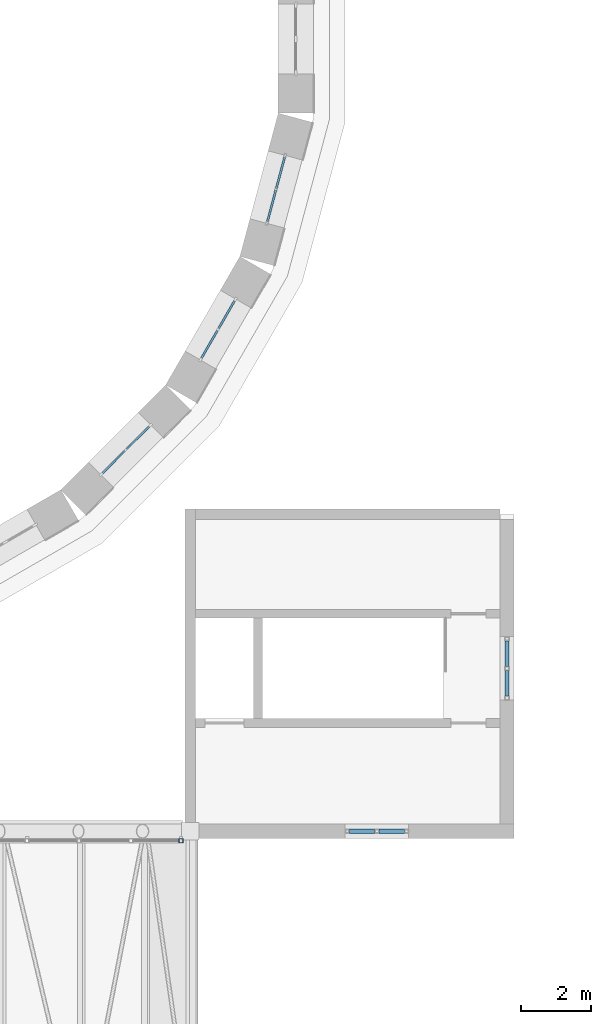
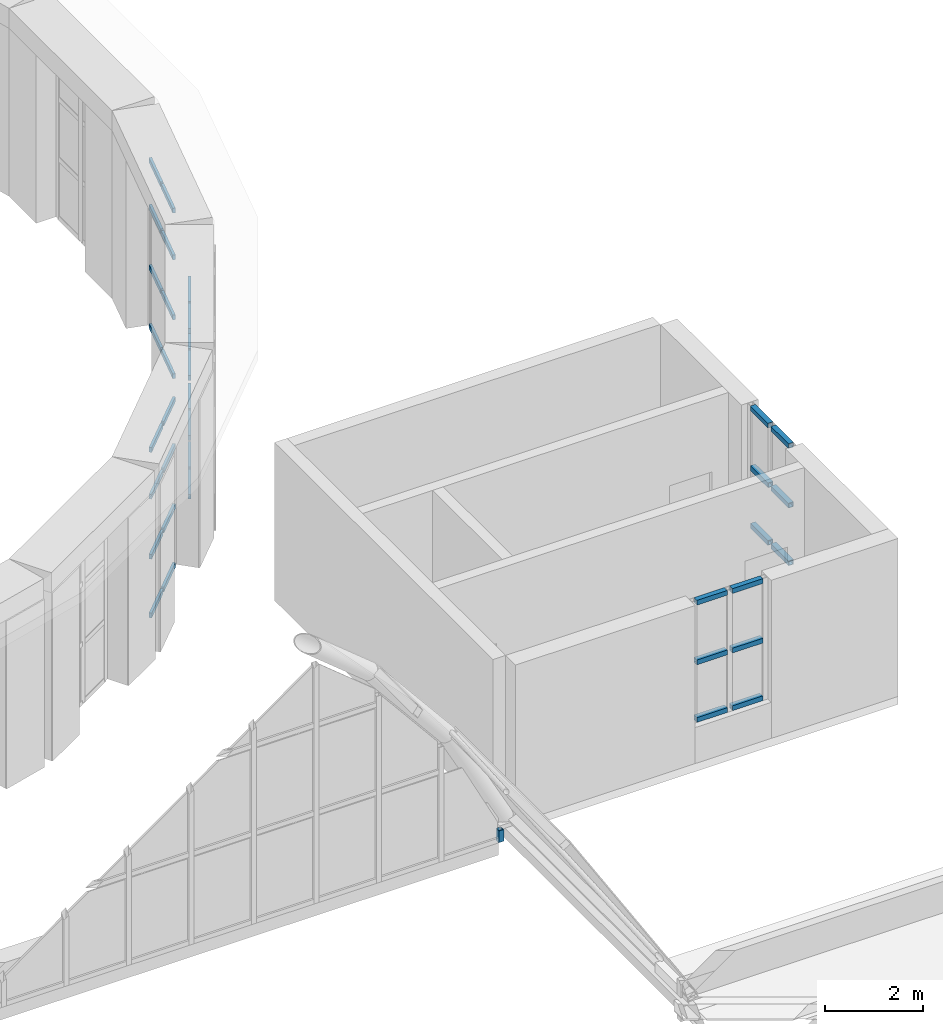
# One storey, part 71 of 121: 37 members, 6 elements without a shape of their own.
"""IFC4 building model written with IfcOpenShell, lengths in metres."""

from ifc_helpers import new_model, si_unit, direction, frame, origin, origin_2d, place, context, subcontext, project, spatial, rectangle, hollow_rectangle, extrude, material, layer, layer_set, material_profile, profile_set, type_object, element, aggregate, save


model = new_model("IFC4")

# Units and contexts
model_context = context("Model", 3, precision=1e-05, world=origin(), true_north=direction((0.0, 1.0)))
body_context = subcontext(model_context, "Body", "Model", "MODEL_VIEW")
ifc_project = project(units=[si_unit("LENGTHUNIT", "METRE"), si_unit("AREAUNIT", "SQUARE_METRE"), si_unit("VOLUMEUNIT", "CUBIC_METRE"), si_unit("PLANEANGLEUNIT", "RADIAN"), si_unit("MASSUNIT", "GRAM", prefix="KILO")], contexts=[model_context])

# Site, building, storey
site_placement = place(None, origin())
site = spatial("IfcSite", under=ifc_project, at=site_placement, CompositionType="ELEMENT")
building_placement = place(site_placement, origin())
building = spatial("IfcBuilding", under=site, at=building_placement, Name="Golden Quay Civic Hall", CompositionType="ELEMENT")
storey_placement = place(building_placement, frame((0.0, 0.0, 18.60009765625)))
storey = spatial("IfcBuildingStorey", under=building, at=storey_placement, Name="L04", CompositionType="ELEMENT", Elevation=18.60009765625)

# Curtain wall, members
ifc_material_1 = material(Name="Glass, laminated double glazed", Category="glass")
ifc_layer = layer(ifc_material_1, 0.199951171875)
ifc_layer_set = layer_set([ifc_layer], Name="Glazed drum clerestory curtain wall")
curtain_wall_type_1 = type_object("IfcCurtainWallType", Name="Glazed drum clerestory curtain wall", PredefinedType="NOTDEFINED", material=ifc_layer_set)
curtain_wall_1_placement = place(storey_placement, origin())
curtain_wall_1 = element("IfcCurtainWall", 1, at=curtain_wall_1_placement, inside=storey, type_object=curtain_wall_type_1, Name="Clerestory curtain wall 21", PredefinedType="NOTDEFINED")
ifc_material_2 = material(Name="Aluminium, anodised", Category="aluminium")
ifc_material_profile_1 = material_profile(ifc_material_2, rectangle(XDim=0.06005859375, YDim=0.1201171875, at=origin_2d()), Name="Aluminium 60 x 120")
ifc_profile_set_1 = profile_set([ifc_material_profile_1], Name="Aluminium, anodised")
member_type_1 = type_object("IfcMemberType", Name="Aluminium transom 60 x 120", PredefinedType="USERDEFINED", material=ifc_profile_set_1)
member_1_placement = place(storey_placement, frame((96.502685546875, 73.16796875, -0.170166015625), z_axis=(0.706972618059, 0.707240918863, 0.0), x_axis=(-0.707240918863, 0.706972618059, 0.0)))
member_1 = element("IfcMember", 2, at=member_1_placement, type_object=member_type_1, Name="CW5 transom 1.1", ObjectType="TRANSOM", PredefinedType="USERDEFINED", context=body_context, shape_type="SweptSolid", body=[
    extrude(rectangle(XDim=0.06005859375, YDim=0.1201171875, at=origin_2d()), origin(), (0.0, 0.0, 1.0), 0.909912109375),
])
member_2_placement = place(storey_placement, frame((96.502685546875, 73.16796875, 1.2998046875), z_axis=(0.706972618059, 0.707240918863, 0.0), x_axis=(-0.707240918863, 0.706972618059, 0.0)))
member_2 = element("IfcMember", 3, at=member_2_placement, type_object=member_type_1, Name="CW5 transom 1.2", ObjectType="TRANSOM", PredefinedType="USERDEFINED", context=body_context, shape_type="SweptSolid", body=[
    extrude(rectangle(XDim=0.06005859375, YDim=0.1201171875, at=origin_2d()), origin(), (0.0, 0.0, 1.0), 0.909912109375),
])
member_3_placement = place(storey_placement, frame((96.502685546875, 73.16796875, 2.7998046875), z_axis=(0.706972618059, 0.707240918863, 0.0), x_axis=(-0.707240918863, 0.706972618059, 0.0)))
member_3 = element("IfcMember", 4, at=member_3_placement, type_object=member_type_1, Name="CW5 transom 1.3", ObjectType="TRANSOM", PredefinedType="USERDEFINED", context=body_context, shape_type="SweptSolid", body=[
    extrude(rectangle(XDim=0.06005859375, YDim=0.1201171875, at=origin_2d()), origin(), (0.0, 0.0, 1.0), 0.909912109375),
])
member_4_placement = place(storey_placement, frame((96.502685546875, 73.16796875, 3.969970703125), z_axis=(0.706972618059, 0.707240918863, 0.0), x_axis=(-0.707240918863, 0.706972618059, 0.0)))
member_4 = element("IfcMember", 5, at=member_4_placement, type_object=member_type_1, Name="CW5 transom 1.4", ObjectType="TRANSOM", PredefinedType="USERDEFINED", context=body_context, shape_type="SweptSolid", body=[
    extrude(rectangle(XDim=0.06005859375, YDim=0.1201171875, at=origin_2d()), origin(), (0.0, 0.0, 1.0), 0.909912109375),
])
member_5_placement = place(storey_placement, frame((97.1884765625, 73.85400390625, -0.170166015625), z_axis=(0.707240918863, 0.706972618059, 0.0), x_axis=(-0.706972618059, 0.707240918863, 0.0)))
member_5 = element("IfcMember", 6, at=member_5_placement, type_object=member_type_1, Name="CW5 transom 2.1", ObjectType="TRANSOM", PredefinedType="USERDEFINED", context=body_context, shape_type="SweptSolid", body=[
    extrude(rectangle(XDim=0.06005859375, YDim=0.1201171875, at=origin_2d()), origin(), (0.0, 0.0, 1.0), 0.909912109375),
])
member_6_placement = place(storey_placement, frame((97.1884765625, 73.85400390625, 1.2998046875), z_axis=(0.707240918863, 0.706972618059, 0.0), x_axis=(-0.706972618059, 0.707240918863, 0.0)))
member_6 = element("IfcMember", 7, at=member_6_placement, type_object=member_type_1, Name="CW5 transom 2.2", ObjectType="TRANSOM", PredefinedType="USERDEFINED", context=body_context, shape_type="SweptSolid", body=[
    extrude(rectangle(XDim=0.06005859375, YDim=0.1201171875, at=origin_2d()), origin(), (0.0, 0.0, 1.0), 0.909912109375),
])
member_7_placement = place(storey_placement, frame((97.1884765625, 73.85400390625, 2.7998046875), z_axis=(0.707240918863, 0.706972618059, 0.0), x_axis=(-0.706972618059, 0.707240918863, 0.0)))
member_7 = element("IfcMember", 8, at=member_7_placement, type_object=member_type_1, Name="CW5 transom 2.3", ObjectType="TRANSOM", PredefinedType="USERDEFINED", context=body_context, shape_type="SweptSolid", body=[
    extrude(rectangle(XDim=0.06005859375, YDim=0.1201171875, at=origin_2d()), origin(), (0.0, 0.0, 1.0), 0.909912109375),
])
member_8_placement = place(storey_placement, frame((97.1884765625, 73.85400390625, 3.969970703125), z_axis=(0.707240918863, 0.706972618059, 0.0), x_axis=(-0.706972618059, 0.707240918863, 0.0)))
member_8 = element("IfcMember", 9, at=member_8_placement, type_object=member_type_1, Name="CW5 transom 2.4", ObjectType="TRANSOM", PredefinedType="USERDEFINED", context=body_context, shape_type="SweptSolid", body=[
    extrude(rectangle(XDim=0.06005859375, YDim=0.1201171875, at=origin_2d()), origin(), (0.0, 0.0, 1.0), 0.909912109375),
])
aggregate(curtain_wall_1, [member_1, member_2, member_3, member_4, member_5, member_6, member_7, member_8])

curtain_wall_2_placement = place(storey_placement, origin())
curtain_wall_2 = element("IfcCurtainWall", 10, at=curtain_wall_2_placement, inside=storey, type_object=curtain_wall_type_1, Name="Clerestory curtain wall 22", PredefinedType="NOTDEFINED")
member_9_placement = place(storey_placement, frame((99.3193359375, 76.43603515625, -0.170166015625), z_axis=(0.500063042646, 0.865989003036, 0.0), x_axis=(-0.865989003036, 0.500063042646, 0.0)))
member_9 = element("IfcMember", 11, at=member_9_placement, type_object=member_type_1, Name="CW5 transom 1.1", ObjectType="TRANSOM", PredefinedType="USERDEFINED", context=body_context, shape_type="SweptSolid", body=[
    extrude(rectangle(XDim=0.06005859375, YDim=0.1201171875, at=origin_2d()), origin(), (0.0, 0.0, 1.0), 0.91015625),
])
member_10_placement = place(storey_placement, frame((99.3193359375, 76.43603515625, 1.2998046875), z_axis=(0.500063042646, 0.865989003036, 0.0), x_axis=(-0.865989003036, 0.500063042646, 0.0)))
member_10 = element("IfcMember", 12, at=member_10_placement, type_object=member_type_1, Name="CW5 transom 1.2", ObjectType="TRANSOM", PredefinedType="USERDEFINED", context=body_context, shape_type="SweptSolid", body=[
    extrude(rectangle(XDim=0.06005859375, YDim=0.1201171875, at=origin_2d()), origin(), (0.0, 0.0, 1.0), 0.91015625),
])
member_11_placement = place(storey_placement, frame((99.3193359375, 76.43603515625, 2.7998046875), z_axis=(0.500063042646, 0.865989003036, 0.0), x_axis=(-0.865989003036, 0.500063042646, 0.0)))
member_11 = element("IfcMember", 13, at=member_11_placement, type_object=member_type_1, Name="CW5 transom 1.3", ObjectType="TRANSOM", PredefinedType="USERDEFINED", context=body_context, shape_type="SweptSolid", body=[
    extrude(rectangle(XDim=0.06005859375, YDim=0.1201171875, at=origin_2d()), origin(), (0.0, 0.0, 1.0), 0.91015625),
])
member_12_placement = place(storey_placement, frame((99.3193359375, 76.43603515625, 3.969970703125), z_axis=(0.500063042646, 0.865989003036, 0.0), x_axis=(-0.865989003036, 0.500063042646, 0.0)))
member_12 = element("IfcMember", 14, at=member_12_placement, type_object=member_type_1, Name="CW5 transom 1.4", ObjectType="TRANSOM", PredefinedType="USERDEFINED", context=body_context, shape_type="SweptSolid", body=[
    extrude(rectangle(XDim=0.06005859375, YDim=0.1201171875, at=origin_2d()), origin(), (0.0, 0.0, 1.0), 0.91015625),
])
member_13_placement = place(storey_placement, frame((99.804443359375, 77.27587890625, -0.170166015625), z_axis=(0.499861813449, 0.866105171129, 0.0), x_axis=(-0.866105171129, 0.499861813449, 0.0)))
member_13 = element("IfcMember", 15, at=member_13_placement, type_object=member_type_1, Name="CW5 transom 2.1", ObjectType="TRANSOM", PredefinedType="USERDEFINED", context=body_context, shape_type="SweptSolid", body=[
    extrude(rectangle(XDim=0.06005859375, YDim=0.1201171875, at=origin_2d()), origin(), (0.0, 0.0, 1.0), 0.909912109375),
])
member_14_placement = place(storey_placement, frame((99.804443359375, 77.27587890625, 1.2998046875), z_axis=(0.499861813449, 0.866105171129, 0.0), x_axis=(-0.866105171129, 0.499861813449, 0.0)))
member_14 = element("IfcMember", 16, at=member_14_placement, type_object=member_type_1, Name="CW5 transom 2.2", ObjectType="TRANSOM", PredefinedType="USERDEFINED", context=body_context, shape_type="SweptSolid", body=[
    extrude(rectangle(XDim=0.06005859375, YDim=0.1201171875, at=origin_2d()), origin(), (0.0, 0.0, 1.0), 0.909912109375),
])
member_15_placement = place(storey_placement, frame((99.804443359375, 77.27587890625, 2.7998046875), z_axis=(0.499861813449, 0.866105171129, 0.0), x_axis=(-0.866105171129, 0.499861813449, 0.0)))
member_15 = element("IfcMember", 17, at=member_15_placement, type_object=member_type_1, Name="CW5 transom 2.3", ObjectType="TRANSOM", PredefinedType="USERDEFINED", context=body_context, shape_type="SweptSolid", body=[
    extrude(rectangle(XDim=0.06005859375, YDim=0.1201171875, at=origin_2d()), origin(), (0.0, 0.0, 1.0), 0.909912109375),
])
member_16_placement = place(storey_placement, frame((99.804443359375, 77.27587890625, 3.969970703125), z_axis=(0.499861813449, 0.866105171129, 0.0), x_axis=(-0.866105171129, 0.499861813449, 0.0)))
member_16 = element("IfcMember", 18, at=member_16_placement, type_object=member_type_1, Name="CW5 transom 2.4", ObjectType="TRANSOM", PredefinedType="USERDEFINED", context=body_context, shape_type="SweptSolid", body=[
    extrude(rectangle(XDim=0.06005859375, YDim=0.1201171875, at=origin_2d()), origin(), (0.0, 0.0, 1.0), 0.909912109375),
])
aggregate(curtain_wall_2, [member_9, member_10, member_11, member_12, member_13, member_14, member_15, member_16])

curtain_wall_3_placement = place(storey_placement, origin())
curtain_wall_3 = element("IfcCurtainWall", 19, at=curtain_wall_3_placement, inside=storey, type_object=curtain_wall_type_1, Name="Clerestory curtain wall 23", PredefinedType="NOTDEFINED")
member_17_placement = place(storey_placement, frame((101.194580078125, 80.321533203125, -0.170166015625), z_axis=(0.258664552677, 0.965967209168, 0.0), x_axis=(-0.965967209168, 0.258664552677, 0.0)))
member_17 = element("IfcMember", 20, at=member_17_placement, type_object=member_type_1, Name="CW5 transom 1.1", ObjectType="TRANSOM", PredefinedType="USERDEFINED", context=body_context, shape_type="SweptSolid", body=[
    extrude(rectangle(XDim=0.06005859375, YDim=0.1201171875, at=origin_2d()), origin(), (0.0, 0.0, 1.0), 0.909912109375),
])
member_18_placement = place(storey_placement, frame((101.194580078125, 80.321533203125, 1.2998046875), z_axis=(0.258664552677, 0.965967209168, 0.0), x_axis=(-0.965967209168, 0.258664552677, 0.0)))
member_18 = element("IfcMember", 21, at=member_18_placement, type_object=member_type_1, Name="CW5 transom 1.2", ObjectType="TRANSOM", PredefinedType="USERDEFINED", context=body_context, shape_type="SweptSolid", body=[
    extrude(rectangle(XDim=0.06005859375, YDim=0.1201171875, at=origin_2d()), origin(), (0.0, 0.0, 1.0), 0.909912109375),
])
member_19_placement = place(storey_placement, frame((101.194580078125, 80.321533203125, 2.7998046875), z_axis=(0.258664552677, 0.965967209168, 0.0), x_axis=(-0.965967209168, 0.258664552677, 0.0)))
member_19 = element("IfcMember", 22, at=member_19_placement, type_object=member_type_1, Name="CW5 transom 1.3", ObjectType="TRANSOM", PredefinedType="USERDEFINED", context=body_context, shape_type="SweptSolid", body=[
    extrude(rectangle(XDim=0.06005859375, YDim=0.1201171875, at=origin_2d()), origin(), (0.0, 0.0, 1.0), 0.909912109375),
])
member_20_placement = place(storey_placement, frame((101.194580078125, 80.321533203125, 3.969970703125), z_axis=(0.258664552677, 0.965967209168, 0.0), x_axis=(-0.965967209168, 0.258664552677, 0.0)))
member_20 = element("IfcMember", 23, at=member_20_placement, type_object=member_type_1, Name="CW5 transom 1.4", ObjectType="TRANSOM", PredefinedType="USERDEFINED", context=body_context, shape_type="SweptSolid", body=[
    extrude(rectangle(XDim=0.06005859375, YDim=0.1201171875, at=origin_2d()), origin(), (0.0, 0.0, 1.0), 0.909912109375),
])
member_21_placement = place(storey_placement, frame((101.445556640625, 81.258544921875, -0.170166015625), z_axis=(0.258914897967, 0.965900137494, 0.0), x_axis=(-0.965900137494, 0.258914897967, 0.0)))
member_21 = element("IfcMember", 24, at=member_21_placement, type_object=member_type_1, Name="CW5 transom 2.1", ObjectType="TRANSOM", PredefinedType="USERDEFINED", context=body_context, shape_type="SweptSolid", body=[
    extrude(rectangle(XDim=0.06005859375, YDim=0.1201171875, at=origin_2d()), origin(), (0.0, 0.0, 1.0), 0.909912109375),
])
member_22_placement = place(storey_placement, frame((101.445556640625, 81.258544921875, 1.2998046875), z_axis=(0.258914897967, 0.965900137494, 0.0), x_axis=(-0.965900137494, 0.258914897967, 0.0)))
member_22 = element("IfcMember", 25, at=member_22_placement, type_object=member_type_1, Name="CW5 transom 2.2", ObjectType="TRANSOM", PredefinedType="USERDEFINED", context=body_context, shape_type="SweptSolid", body=[
    extrude(rectangle(XDim=0.06005859375, YDim=0.1201171875, at=origin_2d()), origin(), (0.0, 0.0, 1.0), 0.909912109375),
])
member_23_placement = place(storey_placement, frame((101.445556640625, 81.258544921875, 2.7998046875), z_axis=(0.258914897967, 0.965900137494, 0.0), x_axis=(-0.965900137494, 0.258914897967, 0.0)))
member_23 = element("IfcMember", 26, at=member_23_placement, type_object=member_type_1, Name="CW5 transom 2.3", ObjectType="TRANSOM", PredefinedType="USERDEFINED", context=body_context, shape_type="SweptSolid", body=[
    extrude(rectangle(XDim=0.06005859375, YDim=0.1201171875, at=origin_2d()), origin(), (0.0, 0.0, 1.0), 0.909912109375),
])
member_24_placement = place(storey_placement, frame((101.445556640625, 81.258544921875, 3.969970703125), z_axis=(0.258914897967, 0.965900137494, 0.0), x_axis=(-0.965900137494, 0.258914897967, 0.0)))
member_24 = element("IfcMember", 27, at=member_24_placement, type_object=member_type_1, Name="CW5 transom 2.4", ObjectType="TRANSOM", PredefinedType="USERDEFINED", context=body_context, shape_type="SweptSolid", body=[
    extrude(rectangle(XDim=0.06005859375, YDim=0.1201171875, at=origin_2d()), origin(), (0.0, 0.0, 1.0), 0.909912109375),
])
aggregate(curtain_wall_3, [member_17, member_18, member_19, member_20, member_21, member_22, member_23, member_24])

ifc_material_3 = material(Name="Fire-resisting glass and steel", Category="steel")
curtain_wall_type_2 = type_object("IfcCurtainWallType", Name="Fire-resisting glazed stair curtain wall EI 120", PredefinedType="NOTDEFINED", material=ifc_material_3)
curtain_wall_4_placement = place(storey_placement, origin())
curtain_wall_4 = element("IfcCurtainWall", 28, at=curtain_wall_4_placement, inside=storey, type_object=curtain_wall_type_2, Name="CW4 stair curtain wall", PredefinedType="NOTDEFINED")
ifc_material_4 = material(Name="Steel S355", Category="steel")
ifc_material_profile_2 = material_profile(ifc_material_4, hollow_rectangle(XDim=0.1201171875, YDim=0.1201171875, WallThickness=0.012451171875, at=origin_2d()), Name="SHS 120x120x12.5")
ifc_profile_set_2 = profile_set([ifc_material_profile_2], Name="Steel S355")
member_type_2 = type_object("IfcMemberType", Name="Fire-resisting steel stair transom 120 x 120", PredefinedType="USERDEFINED", material=ifc_profile_set_2)
member_25_placement = place(storey_placement, frame((103.52001953125, 63.0, 0.9599609375), z_axis=(1.0, 0.0, 0.0), x_axis=(0.0, 1.0, 0.0)))
member_25 = element("IfcMember", 29, at=member_25_placement, type_object=member_type_2, Name="CW4 transom 1.1", ObjectType="TRANSOM", PredefinedType="USERDEFINED", context=body_context, shape_type="SweptSolid", body=[
    extrude(hollow_rectangle(XDim=0.1201171875, YDim=0.1201171875, WallThickness=0.012451171875, at=origin_2d()), origin(), (0.0, 0.0, 1.0), 0.719970703125),
])
member_26_placement = place(storey_placement, frame((103.52001953125, 63.0, 2.39990234375), z_axis=(1.0, 0.0, 0.0), x_axis=(0.0, 1.0, 0.0)))
member_26 = element("IfcMember", 30, at=member_26_placement, type_object=member_type_2, Name="CW4 transom 1.2", ObjectType="TRANSOM", PredefinedType="USERDEFINED", context=body_context, shape_type="SweptSolid", body=[
    extrude(hollow_rectangle(XDim=0.1201171875, YDim=0.1201171875, WallThickness=0.012451171875, at=origin_2d()), origin(), (0.0, 0.0, 1.0), 0.719970703125),
])
member_27_placement = place(storey_placement, frame((103.52001953125, 63.0, 3.889892578125), z_axis=(1.0, 0.0, 0.0), x_axis=(0.0, 1.0, 0.0)))
member_27 = element("IfcMember", 31, at=member_27_placement, type_object=member_type_2, Name="CW4 transom 1.3", ObjectType="TRANSOM", PredefinedType="USERDEFINED", context=body_context, shape_type="SweptSolid", body=[
    extrude(hollow_rectangle(XDim=0.1201171875, YDim=0.1201171875, WallThickness=0.012451171875, at=origin_2d()), origin(), (0.0, 0.0, 1.0), 0.719970703125),
])
member_28_placement = place(storey_placement, frame((104.360107421875, 63.0, 0.9599609375), z_axis=(1.0, 0.0, 0.0), x_axis=(0.0, 1.0, 0.0)))
member_28 = element("IfcMember", 32, at=member_28_placement, type_object=member_type_2, Name="CW4 transom 2.1", ObjectType="TRANSOM", PredefinedType="USERDEFINED", context=body_context, shape_type="SweptSolid", body=[
    extrude(hollow_rectangle(XDim=0.1201171875, YDim=0.1201171875, WallThickness=0.012451171875, at=origin_2d()), origin(), (0.0, 0.0, 1.0), 0.719970703125),
])
member_29_placement = place(storey_placement, frame((104.360107421875, 63.0, 2.39990234375), z_axis=(1.0, 0.0, 0.0), x_axis=(0.0, 1.0, 0.0)))
member_29 = element("IfcMember", 33, at=member_29_placement, type_object=member_type_2, Name="CW4 transom 2.2", ObjectType="TRANSOM", PredefinedType="USERDEFINED", context=body_context, shape_type="SweptSolid", body=[
    extrude(hollow_rectangle(XDim=0.1201171875, YDim=0.1201171875, WallThickness=0.012451171875, at=origin_2d()), origin(), (0.0, 0.0, 1.0), 0.719970703125),
])
member_30_placement = place(storey_placement, frame((104.360107421875, 63.0, 3.889892578125), z_axis=(1.0, 0.0, 0.0), x_axis=(0.0, 1.0, 0.0)))
member_30 = element("IfcMember", 34, at=member_30_placement, type_object=member_type_2, Name="CW4 transom 2.3", ObjectType="TRANSOM", PredefinedType="USERDEFINED", context=body_context, shape_type="SweptSolid", body=[
    extrude(hollow_rectangle(XDim=0.1201171875, YDim=0.1201171875, WallThickness=0.012451171875, at=origin_2d()), origin(), (0.0, 0.0, 1.0), 0.719970703125),
])
aggregate(curtain_wall_4, [member_25, member_26, member_27, member_28, member_29, member_30])

curtain_wall_5_placement = place(storey_placement, origin())
curtain_wall_5 = element("IfcCurtainWall", 35, at=curtain_wall_5_placement, inside=storey, type_object=curtain_wall_type_2, Name="CW4 stair curtain wall", PredefinedType="NOTDEFINED")
member_31_placement = place(storey_placement, frame((108.0, 66.844970703125, 0.9599609375), z_axis=(0.0, 1.0, 0.0), x_axis=(-1.0, 0.0, 0.0)))
member_31 = element("IfcMember", 36, at=member_31_placement, type_object=member_type_2, Name="CW4 transom 1.1", ObjectType="TRANSOM", PredefinedType="USERDEFINED", context=body_context, shape_type="SweptSolid", body=[
    extrude(hollow_rectangle(XDim=0.1201171875, YDim=0.1201171875, WallThickness=0.012451171875, at=origin_2d()), origin(), (0.0, 0.0, 1.0), 0.719970703125),
])
member_32_placement = place(storey_placement, frame((108.0, 66.844970703125, 2.39990234375), z_axis=(0.0, 1.0, 0.0), x_axis=(-1.0, 0.0, 0.0)))
member_32 = element("IfcMember", 37, at=member_32_placement, type_object=member_type_2, Name="CW4 transom 1.2", ObjectType="TRANSOM", PredefinedType="USERDEFINED", context=body_context, shape_type="SweptSolid", body=[
    extrude(hollow_rectangle(XDim=0.1201171875, YDim=0.1201171875, WallThickness=0.012451171875, at=origin_2d()), origin(), (0.0, 0.0, 1.0), 0.719970703125),
])
member_33_placement = place(storey_placement, frame((108.0, 66.844970703125, 3.889892578125), z_axis=(0.0, 1.0, 0.0), x_axis=(-1.0, 0.0, 0.0)))
member_33 = element("IfcMember", 38, at=member_33_placement, type_object=member_type_2, Name="CW4 transom 1.3", ObjectType="TRANSOM", PredefinedType="USERDEFINED", context=body_context, shape_type="SweptSolid", body=[
    extrude(hollow_rectangle(XDim=0.1201171875, YDim=0.1201171875, WallThickness=0.012451171875, at=origin_2d()), origin(), (0.0, 0.0, 1.0), 0.719970703125),
])
member_34_placement = place(storey_placement, frame((108.0, 67.68505859375, 0.9599609375), z_axis=(0.0, 1.0, 0.0), x_axis=(-1.0, 0.0, 0.0)))
member_34 = element("IfcMember", 39, at=member_34_placement, type_object=member_type_2, Name="CW4 transom 2.1", ObjectType="TRANSOM", PredefinedType="USERDEFINED", context=body_context, shape_type="SweptSolid", body=[
    extrude(hollow_rectangle(XDim=0.1201171875, YDim=0.1201171875, WallThickness=0.012451171875, at=origin_2d()), origin(), (0.0, 0.0, 1.0), 0.719970703125),
])
member_35_placement = place(storey_placement, frame((108.0, 67.68505859375, 2.39990234375), z_axis=(0.0, 1.0, 0.0), x_axis=(-1.0, 0.0, 0.0)))
member_35 = element("IfcMember", 40, at=member_35_placement, type_object=member_type_2, Name="CW4 transom 2.2", ObjectType="TRANSOM", PredefinedType="USERDEFINED", context=body_context, shape_type="SweptSolid", body=[
    extrude(hollow_rectangle(XDim=0.1201171875, YDim=0.1201171875, WallThickness=0.012451171875, at=origin_2d()), origin(), (0.0, 0.0, 1.0), 0.719970703125),
])
member_36_placement = place(storey_placement, frame((108.0, 67.68505859375, 3.889892578125), z_axis=(0.0, 1.0, 0.0), x_axis=(-1.0, 0.0, 0.0)))
member_36 = element("IfcMember", 41, at=member_36_placement, type_object=member_type_2, Name="CW4 transom 2.3", ObjectType="TRANSOM", PredefinedType="USERDEFINED", context=body_context, shape_type="SweptSolid", body=[
    extrude(hollow_rectangle(XDim=0.1201171875, YDim=0.1201171875, WallThickness=0.012451171875, at=origin_2d()), origin(), (0.0, 0.0, 1.0), 0.719970703125),
])
aggregate(curtain_wall_5, [member_31, member_32, member_33, member_34, member_35, member_36])

# Curtain wall, member
ifc_material_5 = material(Name="Glass and aluminium", Category="aluminium")
curtain_wall_type_3 = type_object("IfcCurtainWallType", Name="Glazed curtain wall 1500 module", PredefinedType="NOTDEFINED", material=ifc_material_5)
curtain_wall_6_placement = place(storey_placement, origin())
curtain_wall_6 = element("IfcCurtainWall", 42, at=curtain_wall_6_placement, inside=storey, type_object=curtain_wall_type_3, Name="Curtain wall tympanum north", PredefinedType="NOTDEFINED")
ifc_material_6 = material(Name="Steel S355", Category="steel")
ifc_material_profile_3 = material_profile(ifc_material_6, hollow_rectangle(XDim=0.1201171875, YDim=0.1201171875, WallThickness=0.008056640625, at=origin_2d()), Name="SHS 120x120x8")
ifc_profile_set_3 = profile_set([ifc_material_profile_3], Name="Steel S355")
member_type_3 = type_object("IfcMemberType", Name="Steel mullion SHS 120x120x8", PredefinedType="MULLION", material=ifc_profile_set_3)
member_37_placement = place(storey_placement, frame((98.739990234375, 62.72998046875, -0.25), z_axis=(0.0, 0.0, 1.0), x_axis=(0.0, 1.0, 0.0)))
member_37 = element("IfcMember", 43, at=member_37_placement, type_object=member_type_3, Name="Tympanum mullion 19", PredefinedType="MULLION", context=body_context, shape_type="SweptSolid", body=[
    extrude(hollow_rectangle(XDim=0.1201171875, YDim=0.1201171875, WallThickness=0.008056640625, at=origin_2d()), origin(), (0.0, 0.0, 1.0), 0.292724609375),
])
aggregate(curtain_wall_6, [member_37])

save(model, "model.ifc")
